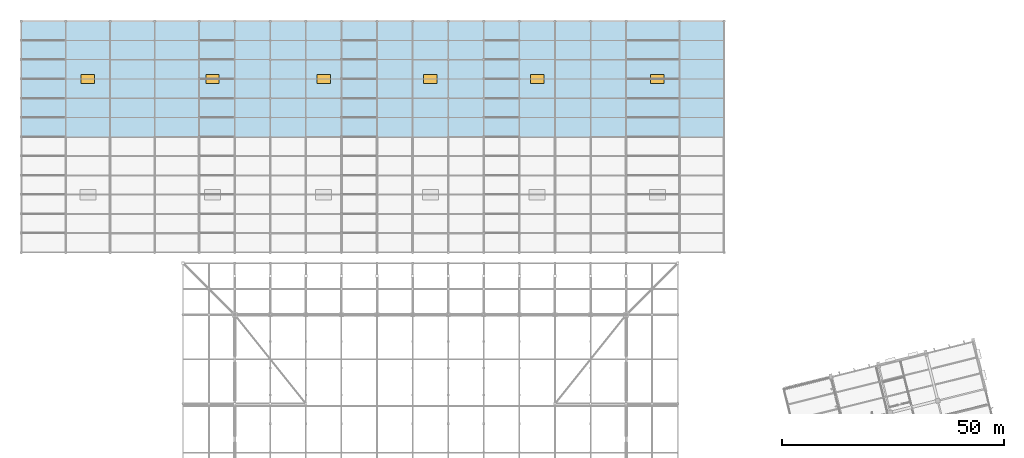
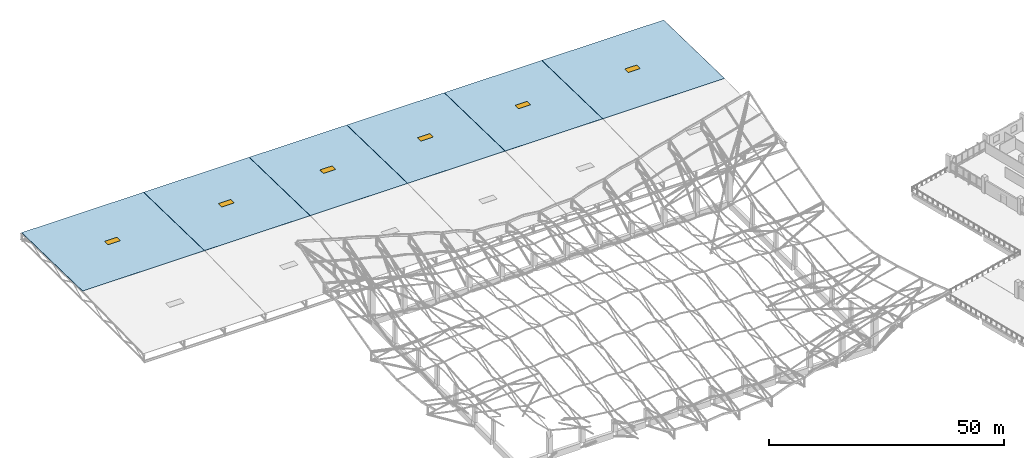
# One storey, part 59 of 75: 6 slabs, 6 windows, 6 openings, 6 elements without a shape of their own.
"""IFC4 building model written with IfcOpenShell, lengths in metres."""

import ifcopenshell
import ifcopenshell.guid

model = None  # the IFC model being written
_history = None  # IfcOwnerHistory: only IFC2X3 demands one
_inside = {}  # id of a spatial element -> (the spatial element, [elements in it])
_under = {}  # id of a project, library or spatial element -> (it, [spatial elements below it])
_declared = {}  # id of a project -> (the project, [libraries it declares])
_typed = {}  # id of a type object -> (the type object, [elements of that type])
_made_of = {}  # id of a material, layer set ... -> (it, [elements and type objects made of it])


def new_model(schema):
    """Start an empty IFC model of exactly this schema.

    Asked for "IFC4X3", IfcOpenShell would pick the latest addendum, in which some entities
    have other attributes; the version numbers below select the first issue.
    IFC2X3 requires an IfcOwnerHistory on every rooted entity: one is made here for all.
    """
    global model, _history
    if schema == "IFC4X3":
        model = ifcopenshell.file(schema_version=(4, 3, 0, 0))
    else:
        model = ifcopenshell.file(schema=schema)
    _inside.clear()
    _under.clear()
    _declared.clear()
    _typed.clear()
    _made_of.clear()
    _history = None
    if model.schema == "IFC2X3":
        org = make("IfcOrganization", Name="unknown")
        user = make(
            "IfcPersonAndOrganization",
            ThePerson=make("IfcPerson", FamilyName="unknown"),
            TheOrganization=org,
        )
        app = make(
            "IfcApplication",
            ApplicationDeveloper=org,
            Version="unknown",
            ApplicationFullName="unknown",
            ApplicationIdentifier="unknown",
        )
        _history = make(
            "IfcOwnerHistory",
            OwningUser=user,
            OwningApplication=app,
            ChangeAction="ADDED",
            CreationDate=0,
        )
    return model


def make(cls, **values):
    """One entity of the class cls with the attributes given. An attribute that is None is left unset."""
    return model.create_entity(
        cls, **{name: value for name, value in values.items() if value is not None}
    )


def rooted(cls, **values):
    """An entity with a GlobalId (a new one), such as an element, a storey or a relation."""
    return make(cls, GlobalId=ifcopenshell.guid.new(), OwnerHistory=_history, **values)


def si_unit(unit_type, name, prefix=None):
    """IfcSIUnit, for example si_unit("LENGTHUNIT", "METRE", prefix="MILLI")."""
    return make("IfcSIUnit", UnitType=unit_type, Prefix=prefix, Name=name)


def assignment(units):
    """IfcUnitAssignment: the units of a project."""
    return None if units is None else make("IfcUnitAssignment", Units=units)


def point(xyz):
    """IfcCartesianPoint."""
    return None if xyz is None else make("IfcCartesianPoint", Coordinates=xyz)


def direction(xyz):
    """IfcDirection."""
    return None if xyz is None else make("IfcDirection", DirectionRatios=xyz)


def frame(location, z_axis=None, x_axis=None):
    """IfcAxis2Placement3D, a coordinate frame: its origin and axes. An axis left out is left unset."""
    return make(
        "IfcAxis2Placement3D",
        Location=point(location),
        Axis=direction(z_axis),
        RefDirection=direction(x_axis),
    )


def frame_2d(location, x_axis=None):
    """IfcAxis2Placement2D, a coordinate frame in the plane: its origin and x axis."""
    return make(
        "IfcAxis2Placement2D", Location=point(location), RefDirection=direction(x_axis)
    )


def origin():
    """The frame at (0, 0, 0) with its axes left unset."""
    return frame((0.0, 0.0, 0.0))


def origin_2d():
    """The frame at (0, 0) in the plane with its x axis left unset."""
    return frame_2d((0.0, 0.0))


def place(relative_to, where):
    """IfcLocalPlacement: puts the frame where relative to a parent placement (None: the world)."""
    return make(
        "IfcLocalPlacement", PlacementRelTo=relative_to, RelativePlacement=where
    )


def context(
    kind, dimensions, precision=None, world=None, true_north=None, identifier=None
):
    """IfcGeometricRepresentationContext, for example the 3D "Model" context."""
    return make(
        "IfcGeometricRepresentationContext",
        ContextIdentifier=identifier,
        ContextType=kind,
        CoordinateSpaceDimension=dimensions,
        Precision=precision,
        WorldCoordinateSystem=world,
        TrueNorth=true_north,
    )


def subcontext(parent, identifier, kind, view, scale=None):
    """IfcGeometricRepresentationSubContext, for example "Body" below "Model"."""
    return make(
        "IfcGeometricRepresentationSubContext",
        ContextIdentifier=identifier,
        ContextType=kind,
        ParentContext=parent,
        TargetScale=scale,
        TargetView=view,
    )


def project(units=None, contexts=None):
    """IfcProject with its units and contexts."""
    return rooted(
        "IfcProject",
        Name="project",
        RepresentationContexts=contexts,
        UnitsInContext=assignment(units),
    )


def spatial(cls, under=None, at=None, **own):
    """A site, building, storey or space (cls), placed at a placement, below another one or the project."""
    s = rooted(cls, ObjectPlacement=at, **own)
    if under is not None:
        _under.setdefault(under.id(), (under, []))[1].append(s)
    return s


def polyline(points):
    """IfcPolyline through the points."""
    return make("IfcPolyline", Points=[point(p) for p in points])


def profile(cls, at=None, kind="AREA", **sizes):
    """A parametric profile (cls). Its sizes go by their IFC names, for example OverallWidth=200.0."""
    return make(cls, ProfileType=kind, Position=at, **sizes)


def rectangle(**sizes):
    """IfcRectangleProfileDef."""
    return profile("IfcRectangleProfileDef", **sizes)


def outline(outer, holes=None, kind="AREA"):
    """IfcArbitraryClosedProfileDef: a profile drawn as a closed curve; with holes, ...WithVoids."""
    if holes is None:
        return make("IfcArbitraryClosedProfileDef", ProfileType=kind, OuterCurve=outer)
    return make(
        "IfcArbitraryProfileDefWithVoids",
        ProfileType=kind,
        OuterCurve=outer,
        InnerCurves=holes,
    )


def extrude(swept, where, along, depth):
    """IfcExtrudedAreaSolid: the profile swept, set in the frame where, extruded along a direction by depth."""
    return make(
        "IfcExtrudedAreaSolid",
        SweptArea=swept,
        Position=where,
        ExtrudedDirection=direction(along),
        Depth=depth,
    )


def shape(context_of_items, identifier, shape_type, items):
    """IfcShapeRepresentation: the items that make up one representation, for example the "Body"."""
    return make(
        "IfcShapeRepresentation",
        ContextOfItems=context_of_items,
        RepresentationIdentifier=identifier,
        RepresentationType=shape_type,
        Items=items,
    )


def material(Name=None, Category=None):
    """IfcMaterial."""
    return make("IfcMaterial", Name=Name, Category=Category)


def layer(
    of_material, thickness, ventilated=None, Name=None, Category=None, Priority=None
):
    """IfcMaterialLayer: one layer of a wall or slab, of a material (None: an air gap)."""
    return make(
        "IfcMaterialLayer",
        Material=of_material,
        LayerThickness=thickness,
        IsVentilated=ventilated,
        Name=Name,
        Category=Category,
        Priority=Priority,
    )


def layer_set(layers, Name=None):
    """IfcMaterialLayerSet."""
    return make("IfcMaterialLayerSet", MaterialLayers=layers, LayerSetName=Name)


def made_of(thing, what):
    """Note that an element or type object is made of a material, layer set ...; save() writes the relation."""
    if what is not None:
        _made_of.setdefault(what.id(), (what, []))[1].append(thing)
    return thing


def type_object(cls, material=None, **own):
    """A type object (cls), such as IfcWallType, which elements share."""
    return made_of(rooted(cls, **own), material)


def element(
    cls,
    number,
    at=None,
    inside=None,
    cuts=None,
    type_object=None,
    material=None,
    context=None,
    identifier="Body",
    shape_type=None,
    held_by="IfcProductDefinitionShape",
    body=None,
    shapes=None,
    **own,
):
    """One element of the class cls, such as IfcWall. Its Tag is "e" and its number.

    at: its placement. inside: the storey or other place that contains it. cuts: it is an
    opening in that element (IfcRelVoidsElement). A single representation is given by context,
    identifier, shape_type and body (its items); several are given by shapes. held_by: the class
    of the entity that holds the representations. save() writes the other relations.
    """
    e = rooted(cls, Tag="e%d" % number, ObjectPlacement=at, **own)
    if body is not None:
        shapes = [shape(context, identifier, shape_type, body)]
    if shapes is not None:
        e.Representation = make(held_by, Representations=shapes)
    if inside is not None:
        _inside.setdefault(inside.id(), (inside, []))[1].append(e)
    if cuts is not None:
        rooted(
            "IfcRelVoidsElement", RelatingBuildingElement=cuts, RelatedOpeningElement=e
        )
    if type_object is not None:
        _typed.setdefault(type_object.id(), (type_object, []))[1].append(e)
    return made_of(e, material)


def fill(opening, filler):
    """IfcRelFillsElement: the door or window that sits in an opening."""
    return rooted(
        "IfcRelFillsElement",
        RelatingOpeningElement=opening,
        RelatedBuildingElement=filler,
    )


def aggregate(whole, parts):
    """IfcRelAggregates: a whole, such as a stair, and the parts it consists of."""
    return rooted("IfcRelAggregates", RelatingObject=whole, RelatedObjects=parts)


def save(model, path):
    """Write the relations noted so far, then the file.

    IfcRelAggregates (storeys below a building ...), IfcRelContainedInSpatialStructure (elements
    in a storey), IfcRelDefinesByType, IfcRelAssociatesMaterial and IfcRelDeclares: one each for
    every whole, place, type object, material and project.
    """
    for whole, parts in _under.values():
        aggregate(whole, parts)
    for where, things in _inside.values():
        rooted(
            "IfcRelContainedInSpatialStructure",
            RelatedElements=things,
            RelatingStructure=where,
        )
    for kind, things in _typed.values():
        rooted("IfcRelDefinesByType", RelatedObjects=things, RelatingType=kind)
    for what, things in _made_of.values():
        rooted("IfcRelAssociatesMaterial", RelatedObjects=things, RelatingMaterial=what)
    for by, libraries in _declared.values():
        rooted("IfcRelDeclares", RelatingContext=by, RelatedDefinitions=libraries)
    model.write(path)


model = new_model("IFC4")

# Units and contexts
model_context = context("Model", 3, precision=1e-05, world=origin(), true_north=direction((0.0, 1.0)))
body_context = subcontext(model_context, "Body", "Model", "MODEL_VIEW")
ifc_project = project(units=[si_unit("LENGTHUNIT", "METRE"), si_unit("AREAUNIT", "SQUARE_METRE"), si_unit("VOLUMEUNIT", "CUBIC_METRE"), si_unit("PLANEANGLEUNIT", "RADIAN"), si_unit("MASSUNIT", "GRAM", prefix="KILO")], contexts=[model_context])

# Site, building, storey
site_placement = place(None, origin())
site = spatial("IfcSite", under=ifc_project, at=site_placement, CompositionType="ELEMENT")
building_placement = place(site_placement, origin())
building = spatial("IfcBuilding", under=site, at=building_placement, Name="Khorjan Park Terminus", CompositionType="ELEMENT")
storey_placement = place(building_placement, frame((0.0, 0.0, 16.2)))
storey = spatial("IfcBuildingStorey", under=building, at=storey_placement, Name="L03", CompositionType="ELEMENT", Elevation=16.2)

# Roof, slab, opening, window
ifc_material_1 = material(Name="Steel S355", Category="steel")
ifc_layer_1 = layer(ifc_material_1, 0.15)
ifc_layer_set_1 = layer_set([ifc_layer_1], Name="Steel S355")
roof_type = type_object("IfcRoofType", Name="RF-FLAT-SHED", PredefinedType="FLAT_ROOF", material=ifc_layer_set_1)
roof_1_placement = place(storey_placement, origin())
roof_1 = element("IfcRoof", 1, at=roof_1_placement, inside=storey, type_object=roof_type, Name="Train shed low-slope flat roof assembly RF-SH1 (Zone 1)", PredefinedType="FLAT_ROOF")
ifc_material_2 = material(Name="Concrete C40/50", Category="concrete")
ifc_layer_2 = layer(ifc_material_2, 0.14)
ifc_layer_set_2 = layer_set([ifc_layer_2], Name="Concrete C40/50")
slab_type = type_object("IfcSlabType", Name="SL-ROOF-140", PredefinedType="ROOF", material=ifc_layer_set_2)
slab_1_placement = place(storey_placement, frame((0.0, 128.01, -0.27), z_axis=(0.0, 0.021165388508, 0.999775988074), x_axis=(1.0, 0.0, 0.0)))
slab_1 = element("IfcSlab", 2, at=slab_1_placement, type_object=slab_type, Name="Train shed low-slope flat roof panel RS-14 (2)", PredefinedType="ROOF", context=body_context, shape_type="SweptSolid", body=[
    extrude(outline(polyline([(0.0, 0.0), (29.97, 0.0), (29.97, 25.98582113384145), (0.0, 25.98582113384145), (0.0, 0.0)])), origin(), (0.0, 0.0, -1.0), 0.14),
])
opening_1_placement = place(storey_placement, frame((14.985, 141.0, -0.685), z_axis=(0.0, 0.0, 1.0), x_axis=(1.0, 0.0, 0.0)))
opening_1 = element("IfcOpeningElement", 3, at=opening_1_placement, cuts=slab_1, Name="Opening SK-02", PredefinedType="OPENING", context=body_context, shape_type="SweptSolid", body=[
    extrude(rectangle(XDim=3.0, YDim=2.0, at=origin_2d()), frame((0.0, 0.0, -0.01)), (0.0, 0.0, 1.0), 0.16),
])
ifc_material_3 = material(Name="Thermally Broken Aluminium & Laminated Solar Glass", Category="aluminium")
window_type = type_object("IfcWindowType", Name="SK-30", PartitioningType="SINGLE_PANEL", PredefinedType="SKYLIGHT", material=ifc_material_3)
window_1_placement = place(opening_1_placement, frame((0.0, 0.0, 0.08)))
window_1 = element("IfcWindow", 4, at=window_1_placement, inside=storey, type_object=window_type, Name="Train shed roof skylight SK-02 (2)", OverallHeight=2.0, OverallWidth=3.0, PartitioningType="SINGLE_PANEL", PredefinedType="SKYLIGHT", context=body_context, shape_type="SweptSolid", body=[
    extrude(rectangle(XDim=3.0, YDim=2.0, at=origin_2d()), origin(), (0.0, 0.0, 1.0), 0.06),
])
fill(opening_1, window_1)
aggregate(roof_1, [slab_1])

roof_2_placement = place(storey_placement, origin())
roof_2 = element("IfcRoof", 5, at=roof_2_placement, inside=storey, type_object=roof_type, Name="Train shed low-slope flat roof assembly RF-SH1 (Zone 2)", PredefinedType="FLAT_ROOF")
slab_2_placement = place(storey_placement, frame((30.03, 128.01, -0.27), z_axis=(0.0, 0.021165388508, 0.999775988074), x_axis=(1.0, 0.0, 0.0)))
slab_2 = element("IfcSlab", 6, at=slab_2_placement, type_object=slab_type, Name="Train shed low-slope flat roof panel RS-14 (4)", PredefinedType="ROOF", context=body_context, shape_type="SweptSolid", body=[
    extrude(outline(polyline([(0.0, 0.0), (25.939999999999998, 0.0), (25.939999999999998, 25.98582113384145), (0.0, 25.98582113384145), (0.0, 0.0)])), origin(), (0.0, 0.0, -1.0), 0.14),
])
opening_2_placement = place(storey_placement, frame((43.0, 141.0, -0.685), z_axis=(0.0, 0.0, 1.0), x_axis=(1.0, 0.0, 0.0)))
opening_2 = element("IfcOpeningElement", 7, at=opening_2_placement, cuts=slab_2, Name="Opening SK-02", PredefinedType="OPENING", context=body_context, shape_type="SweptSolid", body=[
    extrude(rectangle(XDim=3.0, YDim=2.0, at=origin_2d()), frame((0.0, 0.0, -0.01)), (0.0, 0.0, 1.0), 0.16),
])
window_2_placement = place(opening_2_placement, frame((0.0, 0.0, 0.08)))
window_2 = element("IfcWindow", 8, at=window_2_placement, inside=storey, type_object=window_type, Name="Train shed roof skylight SK-02 (4)", OverallHeight=2.0, OverallWidth=3.0, PartitioningType="SINGLE_PANEL", PredefinedType="SKYLIGHT", context=body_context, shape_type="SweptSolid", body=[
    extrude(rectangle(XDim=3.0, YDim=2.0, at=origin_2d()), origin(), (0.0, 0.0, 1.0), 0.06),
])
fill(opening_2, window_2)
aggregate(roof_2, [slab_2])

roof_3_placement = place(storey_placement, origin())
roof_3 = element("IfcRoof", 9, at=roof_3_placement, inside=storey, type_object=roof_type, Name="Train shed low-slope flat roof assembly RF-SH1 (Zone 3)", PredefinedType="FLAT_ROOF")
slab_3_placement = place(storey_placement, frame((56.03, 128.01, -0.27), z_axis=(0.0, 0.021165388508, 0.999775988074), x_axis=(1.0, 0.0, 0.0)))
slab_3 = element("IfcSlab", 10, at=slab_3_placement, type_object=slab_type, Name="Train shed low-slope flat roof panel RS-14 (6)", PredefinedType="ROOF", context=body_context, shape_type="SweptSolid", body=[
    extrude(outline(polyline([(0.0, 0.0), (23.939999999999998, 0.0), (23.939999999999998, 25.98582113384145), (0.0, 25.98582113384145), (0.0, 0.0)])), origin(), (0.0, 0.0, -1.0), 0.14),
])
opening_3_placement = place(storey_placement, frame((68.0, 141.0, -0.685), z_axis=(0.0, 0.0, 1.0), x_axis=(1.0, 0.0, 0.0)))
opening_3 = element("IfcOpeningElement", 11, at=opening_3_placement, cuts=slab_3, Name="Opening SK-02", PredefinedType="OPENING", context=body_context, shape_type="SweptSolid", body=[
    extrude(rectangle(XDim=3.0, YDim=2.0, at=origin_2d()), frame((0.0, 0.0, -0.01)), (0.0, 0.0, 1.0), 0.16),
])
window_3_placement = place(opening_3_placement, frame((0.0, 0.0, 0.08)))
window_3 = element("IfcWindow", 12, at=window_3_placement, inside=storey, type_object=window_type, Name="Train shed roof skylight SK-02 (6)", OverallHeight=2.0, OverallWidth=3.0, PartitioningType="SINGLE_PANEL", PredefinedType="SKYLIGHT", context=body_context, shape_type="SweptSolid", body=[
    extrude(rectangle(XDim=3.0, YDim=2.0, at=origin_2d()), origin(), (0.0, 0.0, 1.0), 0.06),
])
fill(opening_3, window_3)
aggregate(roof_3, [slab_3])

roof_4_placement = place(storey_placement, origin())
roof_4 = element("IfcRoof", 13, at=roof_4_placement, inside=storey, type_object=roof_type, Name="Train shed low-slope flat roof assembly RF-SH1 (Zone 4)", PredefinedType="FLAT_ROOF")
slab_4_placement = place(storey_placement, frame((80.03, 128.01, -0.27), z_axis=(0.0, 0.021165388508, 0.999775988074), x_axis=(1.0, 0.0, 0.0)))
slab_4 = element("IfcSlab", 14, at=slab_4_placement, type_object=slab_type, Name="Train shed low-slope flat roof panel RS-14 (8)", PredefinedType="ROOF", context=body_context, shape_type="SweptSolid", body=[
    extrude(outline(polyline([(0.0, 0.0), (23.939999999999998, 0.0), (23.939999999999998, 25.98582113384145), (0.0, 25.98582113384145), (0.0, 0.0)])), origin(), (0.0, 0.0, -1.0), 0.14),
])
opening_4_placement = place(storey_placement, frame((92.0, 141.0, -0.685), z_axis=(0.0, 0.0, 1.0), x_axis=(1.0, 0.0, 0.0)))
opening_4 = element("IfcOpeningElement", 15, at=opening_4_placement, cuts=slab_4, Name="Opening SK-02", PredefinedType="OPENING", context=body_context, shape_type="SweptSolid", body=[
    extrude(rectangle(XDim=3.0, YDim=2.0, at=origin_2d()), frame((0.0, 0.0, -0.01)), (0.0, 0.0, 1.0), 0.16),
])
window_4_placement = place(opening_4_placement, frame((0.0, 0.0, 0.08)))
window_4 = element("IfcWindow", 16, at=window_4_placement, inside=storey, type_object=window_type, Name="Train shed roof skylight SK-02 (8)", OverallHeight=2.0, OverallWidth=3.0, PartitioningType="SINGLE_PANEL", PredefinedType="SKYLIGHT", context=body_context, shape_type="SweptSolid", body=[
    extrude(rectangle(XDim=3.0, YDim=2.0, at=origin_2d()), origin(), (0.0, 0.0, 1.0), 0.06),
])
fill(opening_4, window_4)
aggregate(roof_4, [slab_4])

roof_5_placement = place(storey_placement, origin())
roof_5 = element("IfcRoof", 17, at=roof_5_placement, inside=storey, type_object=roof_type, Name="Train shed low-slope flat roof assembly RF-SH1 (Zone 5)", PredefinedType="FLAT_ROOF")
slab_5_placement = place(storey_placement, frame((104.03, 128.01, -0.27), z_axis=(0.0, 0.021165388508, 0.999775988074), x_axis=(1.0, 0.0, 0.0)))
slab_5 = element("IfcSlab", 18, at=slab_5_placement, type_object=slab_type, Name="Train shed low-slope flat roof panel RS-14 (10)", PredefinedType="ROOF", context=body_context, shape_type="SweptSolid", body=[
    extrude(outline(polyline([(0.0, 0.0), (23.939999999999998, 0.0), (23.939999999999998, 25.98582113384145), (0.0, 25.98582113384145), (0.0, 0.0)])), origin(), (0.0, 0.0, -1.0), 0.14),
])
opening_5_placement = place(storey_placement, frame((116.0, 141.0, -0.685), z_axis=(0.0, 0.0, 1.0), x_axis=(1.0, 0.0, 0.0)))
opening_5 = element("IfcOpeningElement", 19, at=opening_5_placement, cuts=slab_5, Name="Opening SK-02", PredefinedType="OPENING", context=body_context, shape_type="SweptSolid", body=[
    extrude(rectangle(XDim=3.0, YDim=2.0, at=origin_2d()), frame((0.0, 0.0, -0.01)), (0.0, 0.0, 1.0), 0.16),
])
window_5_placement = place(opening_5_placement, frame((0.0, 0.0, 0.08)))
window_5 = element("IfcWindow", 20, at=window_5_placement, inside=storey, type_object=window_type, Name="Train shed roof skylight SK-02 (10)", OverallHeight=2.0, OverallWidth=3.0, PartitioningType="SINGLE_PANEL", PredefinedType="SKYLIGHT", context=body_context, shape_type="SweptSolid", body=[
    extrude(rectangle(XDim=3.0, YDim=2.0, at=origin_2d()), origin(), (0.0, 0.0, 1.0), 0.06),
])
fill(opening_5, window_5)
aggregate(roof_5, [slab_5])

roof_6_placement = place(storey_placement, origin())
roof_6 = element("IfcRoof", 21, at=roof_6_placement, inside=storey, type_object=roof_type, Name="Train shed low-slope flat roof assembly RF-SH1 (Zone 6)", PredefinedType="FLAT_ROOF")
slab_6_placement = place(storey_placement, frame((128.03, 128.01, -0.27), z_axis=(0.0, 0.021165388508, 0.999775988074), x_axis=(1.0, 0.0, 0.0)))
slab_6 = element("IfcSlab", 22, at=slab_6_placement, type_object=slab_type, Name="Train shed low-slope flat roof panel RS-14 (12)", PredefinedType="ROOF", context=body_context, shape_type="SweptSolid", body=[
    extrude(outline(polyline([(0.0, 0.0), (29.97, 0.0), (29.97, 25.98582113384145), (0.0, 25.98582113384145), (0.0, 0.0)])), origin(), (0.0, 0.0, -1.0), 0.14),
])
opening_6_placement = place(storey_placement, frame((143.015, 141.0, -0.685), z_axis=(0.0, 0.0, 1.0), x_axis=(1.0, 0.0, 0.0)))
opening_6 = element("IfcOpeningElement", 23, at=opening_6_placement, cuts=slab_6, Name="Opening SK-02", PredefinedType="OPENING", context=body_context, shape_type="SweptSolid", body=[
    extrude(rectangle(XDim=3.0, YDim=2.0, at=origin_2d()), frame((0.0, 0.0, -0.01)), (0.0, 0.0, 1.0), 0.16),
])
window_6_placement = place(opening_6_placement, frame((0.0, 0.0, 0.08)))
window_6 = element("IfcWindow", 24, at=window_6_placement, inside=storey, type_object=window_type, Name="Train shed roof skylight SK-02 (12)", OverallHeight=2.0, OverallWidth=3.0, PartitioningType="SINGLE_PANEL", PredefinedType="SKYLIGHT", context=body_context, shape_type="SweptSolid", body=[
    extrude(rectangle(XDim=3.0, YDim=2.0, at=origin_2d()), origin(), (0.0, 0.0, 1.0), 0.06),
])
fill(opening_6, window_6)
aggregate(roof_6, [slab_6])

save(model, "model.ifc")
